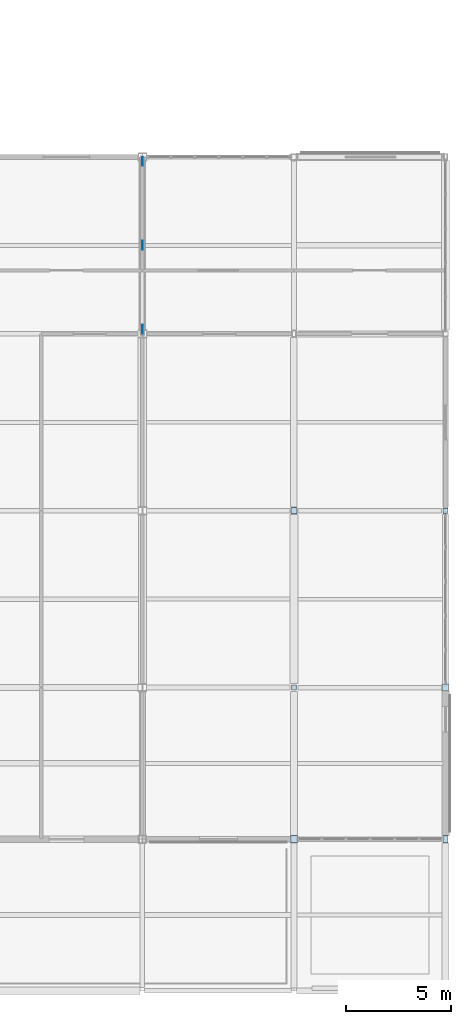
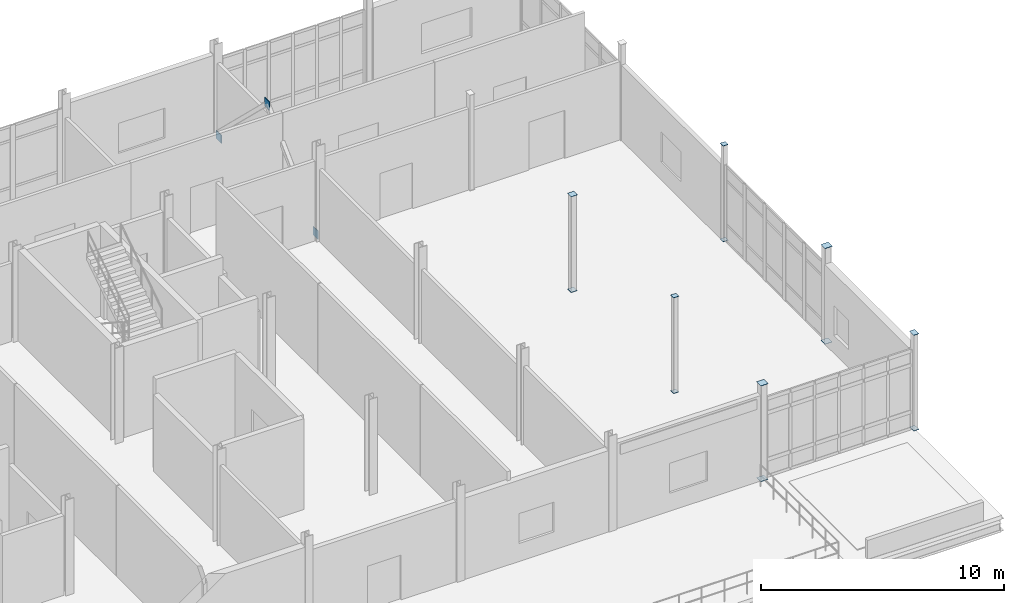
# One storey, part 125 of 153: 15 plates.
"""IFC4 building model written with IfcOpenShell, lengths in metres."""

from ifc_helpers import new_model, si_unit, direction, frame, origin, origin_2d, place, context, subcontext, project, spatial, rectangle, extrude, material, layer, layer_set, type_object, element, save


model = new_model("IFC4")

# Units and contexts
model_context = context("Model", 3, precision=1e-05, world=origin(), true_north=direction((0.0, 1.0)))
body_context = subcontext(model_context, "Body", "Model", "MODEL_VIEW")
ifc_project = project(units=[si_unit("LENGTHUNIT", "METRE"), si_unit("AREAUNIT", "SQUARE_METRE"), si_unit("VOLUMEUNIT", "CUBIC_METRE"), si_unit("PLANEANGLEUNIT", "RADIAN"), si_unit("MASSUNIT", "GRAM", prefix="KILO")], contexts=[model_context])

# Site, building, storey
site_placement = place(None, origin())
site = spatial("IfcSite", under=ifc_project, at=site_placement, CompositionType="ELEMENT")
building_placement = place(site_placement, origin())
building = spatial("IfcBuilding", under=site, at=building_placement, Name="Calvrana Isthmian Art Gallery", CompositionType="ELEMENT")
storey_placement = place(building_placement, frame((0.0, 0.0, 10.199951171875)))
storey = spatial("IfcBuildingStorey", under=building, at=storey_placement, Name="L02", CompositionType="ELEMENT", Elevation=10.199951171875)

# Plates
ifc_material = material(Name="Steel ASTM A572 Gr 50", Category="steel")
ifc_layer_1 = layer(ifc_material, 0.01611328125, Name="Steel ASTM A572 Gr 50")
ifc_layer_set_1 = layer_set([ifc_layer_1], Name="Steel ASTM A572 Gr 50")
plate_type_1 = type_object("IfcPlateType", Name="PL-CAP-16", PredefinedType="SHEET", material=ifc_layer_set_1)
for number, where, z_axis, x_axis, name in (
    (1, (148.800048828125, 14.39990234375, -0.008056640625), (0.0, 0.0, 1.0), (1.0, 0.0, 0.0), "Hollow section end cap plate 337"),
    (2, (148.800048828125, 14.39990234375, 4.7919921875), (0.0, 0.0, 1.0), (1.0, 0.0, 0.0), "Hollow section end cap plate 338"),
):
    element("IfcPlate", number, at=place(storey_placement, frame(where, z_axis=z_axis, x_axis=x_axis)), inside=storey, type_object=plate_type_1, Name=name, PredefinedType="SHEET", context=body_context, shape_type="SweptSolid", body=[
        extrude(rectangle(XDim=0.3447265625, YDim=0.3447265625, at=origin_2d()), origin(), (0.0, 0.0, 1.0), 0.01611328125),
    ])
for number, where, z_axis, x_axis, name in (
    (3, (148.800048828125, 21.60009765625, -0.008056640625), (0.0, 0.0, 1.0), (1.0, 0.0, 0.0), "Hollow section end cap plate 339"),
    (4, (148.800048828125, 21.60009765625, 4.7919921875), (0.0, 0.0, 1.0), (1.0, 0.0, 0.0), "Hollow section end cap plate 340"),
):
    element("IfcPlate", number, at=place(storey_placement, frame(where, z_axis=z_axis, x_axis=x_axis)), inside=storey, type_object=plate_type_1, Name=name, PredefinedType="SHEET", context=body_context, shape_type="SweptSolid", body=[
        extrude(rectangle(XDim=0.2431640625, YDim=0.2431640625, at=origin_2d()), origin(), (0.0, 0.0, 1.0), 0.01611328125),
    ])
for number, where, z_axis, x_axis, name in (
    (5, (148.800048828125, 30.0, -0.008056640625), (0.0, 0.0, 1.0), (1.0, 0.0, 0.0), "Hollow section end cap plate 341"),
    (6, (148.800048828125, 30.0, 4.7919921875), (0.0, 0.0, 1.0), (1.0, 0.0, 0.0), "Hollow section end cap plate 342"),
):
    element("IfcPlate", number, at=place(storey_placement, frame(where, z_axis=z_axis, x_axis=x_axis)), inside=storey, type_object=plate_type_1, Name=name, PredefinedType="SHEET", context=body_context, shape_type="SweptSolid", body=[
        extrude(rectangle(XDim=0.2939453125, YDim=0.2939453125, at=origin_2d()), origin(), (0.0, 0.0, 1.0), 0.01611328125),
    ])
for number, where, z_axis, x_axis, name in (
    (7, (156.0, 14.39990234375, -0.008056640625), (0.0, 0.0, 1.0), (1.0, 0.0, 0.0), "Hollow section end cap plate 351"),
    (8, (156.0, 14.39990234375, 4.7919921875), (0.0, 0.0, 1.0), (1.0, 0.0, 0.0), "Hollow section end cap plate 352"),
):
    element("IfcPlate", number, at=place(storey_placement, frame(where, z_axis=z_axis, x_axis=x_axis)), inside=storey, type_object=plate_type_1, Name=name, PredefinedType="SHEET", context=body_context, shape_type="SweptSolid", body=[
        extrude(rectangle(XDim=0.2431640625, YDim=0.3447265625, at=origin_2d()), origin(), (0.0, 0.0, 1.0), 0.01611328125),
    ])
for number, where, z_axis, x_axis, name in (
    (9, (156.0, 21.60009765625, -0.008056640625), (0.0, 0.0, 1.0), (1.0, 0.0, 0.0), "Hollow section end cap plate 353"),
    (10, (156.0, 21.60009765625, 4.7919921875), (0.0, 0.0, 1.0), (1.0, 0.0, 0.0), "Hollow section end cap plate 354"),
):
    element("IfcPlate", number, at=place(storey_placement, frame(where, z_axis=z_axis, x_axis=x_axis)), inside=storey, type_object=plate_type_1, Name=name, PredefinedType="SHEET", context=body_context, shape_type="SweptSolid", body=[
        extrude(rectangle(XDim=0.3447265625, YDim=0.3447265625, at=origin_2d()), origin(), (0.0, 0.0, 1.0), 0.01611328125),
    ])
for number, where, z_axis, x_axis, name in (
    (11, (156.0, 30.0, -0.008056640625), (0.0, 0.0, 1.0), (1.0, 0.0, 0.0), "Hollow section end cap plate 355"),
    (12, (156.0, 30.0, 4.7919921875), (0.0, 0.0, 1.0), (1.0, 0.0, 0.0), "Hollow section end cap plate 356"),
):
    element("IfcPlate", number, at=place(storey_placement, frame(where, z_axis=z_axis, x_axis=x_axis)), inside=storey, type_object=plate_type_1, Name=name, PredefinedType="SHEET", context=body_context, shape_type="SweptSolid", body=[
        extrude(rectangle(XDim=0.2431640625, YDim=0.2431640625, at=origin_2d()), origin(), (0.0, 0.0, 1.0), 0.01611328125),
    ])
ifc_layer_2 = layer(ifc_material, 0.031982421875, Name="Steel ASTM A572 Gr 50")
ifc_layer_set_2 = layer_set([ifc_layer_2], Name="Steel ASTM A572 Gr 50")
plate_type_2 = type_object("IfcPlateType", Name="PL-GUSSET-32", PredefinedType="USERDEFINED", material=ifc_layer_set_2)
for number, where, z_axis, x_axis, name in (
    (13, (141.60009765625, 38.6201171875, -0.059814453125), (0.0, 0.0, 1.0), (1.0, 0.0, 0.0), "Chevron brace gusset plate L02-9L"),
    (14, (141.60009765625, 42.60009765625, 3.99853515625), (0.0, 0.0, 1.0), (1.0, 0.0, 0.0), "Chevron brace gusset plate L02-9M"),
    (15, (141.60009765625, 46.580078125, -0.059814453125), (0.0, 0.0, 1.0), (1.0, 0.0, 0.0), "Chevron brace gusset plate L02-9R"),
):
    element("IfcPlate", number, at=place(storey_placement, frame(where, z_axis=z_axis, x_axis=x_axis)), inside=storey, type_object=plate_type_2, Name=name, ObjectType="GUSSET PLATE", PredefinedType="USERDEFINED", context=body_context, shape_type="SweptSolid", body=[
        extrude(rectangle(XDim=0.031982421875, YDim=0.419921875, at=origin_2d()), origin(), (0.0, 0.0, 1.0), 0.419921875),
    ])

save(model, "model.ifc")
